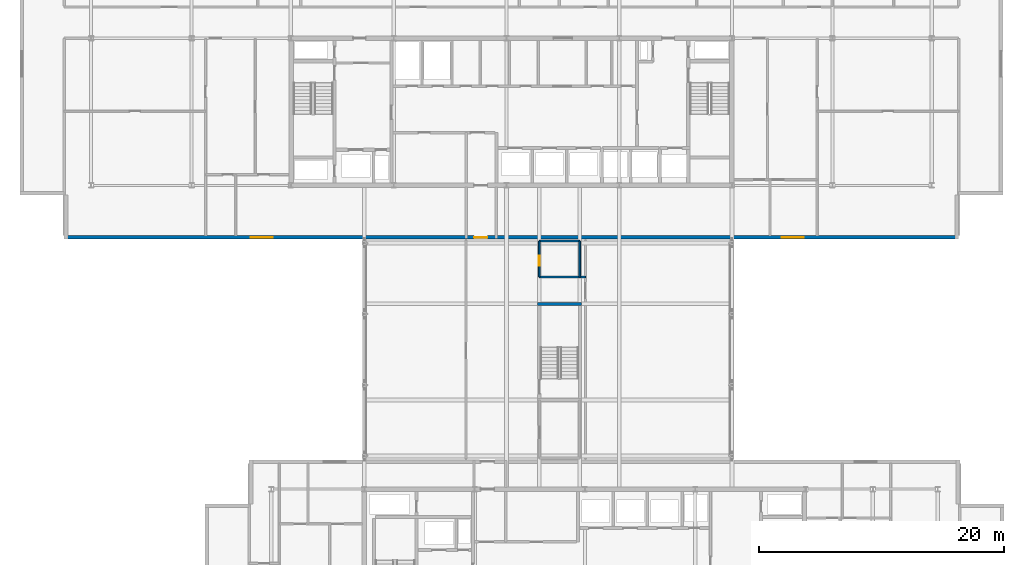
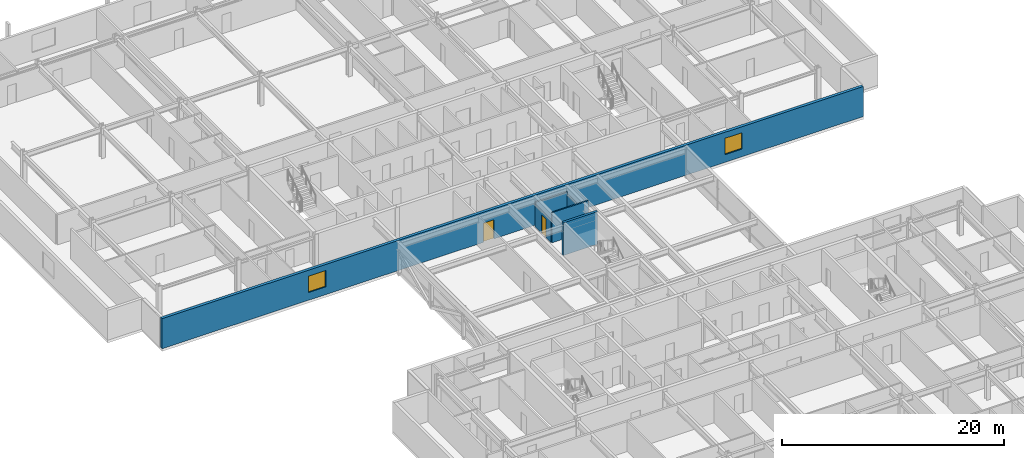
# One storey, part 22 of 36: 6 walls, 2 doors, 2 windows, 4 openings.
"""IFC4 building model written with IfcOpenShell, lengths in metres."""

import ifcopenshell
import ifcopenshell.guid

model = None  # the IFC model being written
_history = None  # IfcOwnerHistory: only IFC2X3 demands one
_inside = {}  # id of a spatial element -> (the spatial element, [elements in it])
_under = {}  # id of a project, library or spatial element -> (it, [spatial elements below it])
_declared = {}  # id of a project -> (the project, [libraries it declares])
_typed = {}  # id of a type object -> (the type object, [elements of that type])
_made_of = {}  # id of a material, layer set ... -> (it, [elements and type objects made of it])


def new_model(schema):
    """Start an empty IFC model of exactly this schema.

    Asked for "IFC4X3", IfcOpenShell would pick the latest addendum, in which some entities
    have other attributes; the version numbers below select the first issue.
    IFC2X3 requires an IfcOwnerHistory on every rooted entity: one is made here for all.
    """
    global model, _history
    if schema == "IFC4X3":
        model = ifcopenshell.file(schema_version=(4, 3, 0, 0))
    else:
        model = ifcopenshell.file(schema=schema)
    _inside.clear()
    _under.clear()
    _declared.clear()
    _typed.clear()
    _made_of.clear()
    _history = None
    if model.schema == "IFC2X3":
        org = make("IfcOrganization", Name="unknown")
        user = make(
            "IfcPersonAndOrganization",
            ThePerson=make("IfcPerson", FamilyName="unknown"),
            TheOrganization=org,
        )
        app = make(
            "IfcApplication",
            ApplicationDeveloper=org,
            Version="unknown",
            ApplicationFullName="unknown",
            ApplicationIdentifier="unknown",
        )
        _history = make(
            "IfcOwnerHistory",
            OwningUser=user,
            OwningApplication=app,
            ChangeAction="ADDED",
            CreationDate=0,
        )
    return model


def make(cls, **values):
    """One entity of the class cls with the attributes given. An attribute that is None is left unset."""
    return model.create_entity(
        cls, **{name: value for name, value in values.items() if value is not None}
    )


def rooted(cls, **values):
    """An entity with a GlobalId (a new one), such as an element, a storey or a relation."""
    return make(cls, GlobalId=ifcopenshell.guid.new(), OwnerHistory=_history, **values)


def si_unit(unit_type, name, prefix=None):
    """IfcSIUnit, for example si_unit("LENGTHUNIT", "METRE", prefix="MILLI")."""
    return make("IfcSIUnit", UnitType=unit_type, Prefix=prefix, Name=name)


def assignment(units):
    """IfcUnitAssignment: the units of a project."""
    return None if units is None else make("IfcUnitAssignment", Units=units)


def point(xyz):
    """IfcCartesianPoint."""
    return None if xyz is None else make("IfcCartesianPoint", Coordinates=xyz)


def direction(xyz):
    """IfcDirection."""
    return None if xyz is None else make("IfcDirection", DirectionRatios=xyz)


def frame(location, z_axis=None, x_axis=None):
    """IfcAxis2Placement3D, a coordinate frame: its origin and axes. An axis left out is left unset."""
    return make(
        "IfcAxis2Placement3D",
        Location=point(location),
        Axis=direction(z_axis),
        RefDirection=direction(x_axis),
    )


def frame_2d(location, x_axis=None):
    """IfcAxis2Placement2D, a coordinate frame in the plane: its origin and x axis."""
    return make(
        "IfcAxis2Placement2D", Location=point(location), RefDirection=direction(x_axis)
    )


def origin():
    """The frame at (0, 0, 0) with its axes left unset."""
    return frame((0.0, 0.0, 0.0))


def place(relative_to, where):
    """IfcLocalPlacement: puts the frame where relative to a parent placement (None: the world)."""
    return make(
        "IfcLocalPlacement", PlacementRelTo=relative_to, RelativePlacement=where
    )


def context(
    kind, dimensions, precision=None, world=None, true_north=None, identifier=None
):
    """IfcGeometricRepresentationContext, for example the 3D "Model" context."""
    return make(
        "IfcGeometricRepresentationContext",
        ContextIdentifier=identifier,
        ContextType=kind,
        CoordinateSpaceDimension=dimensions,
        Precision=precision,
        WorldCoordinateSystem=world,
        TrueNorth=true_north,
    )


def subcontext(parent, identifier, kind, view, scale=None):
    """IfcGeometricRepresentationSubContext, for example "Body" below "Model"."""
    return make(
        "IfcGeometricRepresentationSubContext",
        ContextIdentifier=identifier,
        ContextType=kind,
        ParentContext=parent,
        TargetScale=scale,
        TargetView=view,
    )


def project(units=None, contexts=None):
    """IfcProject with its units and contexts."""
    return rooted(
        "IfcProject",
        Name="project",
        RepresentationContexts=contexts,
        UnitsInContext=assignment(units),
    )


def spatial(cls, under=None, at=None, **own):
    """A site, building, storey or space (cls), placed at a placement, below another one or the project."""
    s = rooted(cls, ObjectPlacement=at, **own)
    if under is not None:
        _under.setdefault(under.id(), (under, []))[1].append(s)
    return s


def profile(cls, at=None, kind="AREA", **sizes):
    """A parametric profile (cls). Its sizes go by their IFC names, for example OverallWidth=200.0."""
    return make(cls, ProfileType=kind, Position=at, **sizes)


def rectangle(**sizes):
    """IfcRectangleProfileDef."""
    return profile("IfcRectangleProfileDef", **sizes)


def extrude(swept, where, along, depth):
    """IfcExtrudedAreaSolid: the profile swept, set in the frame where, extruded along a direction by depth."""
    return make(
        "IfcExtrudedAreaSolid",
        SweptArea=swept,
        Position=where,
        ExtrudedDirection=direction(along),
        Depth=depth,
    )


def shape(context_of_items, identifier, shape_type, items):
    """IfcShapeRepresentation: the items that make up one representation, for example the "Body"."""
    return make(
        "IfcShapeRepresentation",
        ContextOfItems=context_of_items,
        RepresentationIdentifier=identifier,
        RepresentationType=shape_type,
        Items=items,
    )


def material(Name=None, Category=None):
    """IfcMaterial."""
    return make("IfcMaterial", Name=Name, Category=Category)


def layer(
    of_material, thickness, ventilated=None, Name=None, Category=None, Priority=None
):
    """IfcMaterialLayer: one layer of a wall or slab, of a material (None: an air gap)."""
    return make(
        "IfcMaterialLayer",
        Material=of_material,
        LayerThickness=thickness,
        IsVentilated=ventilated,
        Name=Name,
        Category=Category,
        Priority=Priority,
    )


def layer_set(layers, Name=None):
    """IfcMaterialLayerSet."""
    return make("IfcMaterialLayerSet", MaterialLayers=layers, LayerSetName=Name)


def made_of(thing, what):
    """Note that an element or type object is made of a material, layer set ...; save() writes the relation."""
    if what is not None:
        _made_of.setdefault(what.id(), (what, []))[1].append(thing)
    return thing


def type_object(cls, material=None, **own):
    """A type object (cls), such as IfcWallType, which elements share."""
    return made_of(rooted(cls, **own), material)


def element(
    cls,
    number,
    at=None,
    inside=None,
    cuts=None,
    type_object=None,
    material=None,
    context=None,
    identifier="Body",
    shape_type=None,
    held_by="IfcProductDefinitionShape",
    body=None,
    shapes=None,
    **own,
):
    """One element of the class cls, such as IfcWall. Its Tag is "e" and its number.

    at: its placement. inside: the storey or other place that contains it. cuts: it is an
    opening in that element (IfcRelVoidsElement). A single representation is given by context,
    identifier, shape_type and body (its items); several are given by shapes. held_by: the class
    of the entity that holds the representations. save() writes the other relations.
    """
    e = rooted(cls, Tag="e%d" % number, ObjectPlacement=at, **own)
    if body is not None:
        shapes = [shape(context, identifier, shape_type, body)]
    if shapes is not None:
        e.Representation = make(held_by, Representations=shapes)
    if inside is not None:
        _inside.setdefault(inside.id(), (inside, []))[1].append(e)
    if cuts is not None:
        rooted(
            "IfcRelVoidsElement", RelatingBuildingElement=cuts, RelatedOpeningElement=e
        )
    if type_object is not None:
        _typed.setdefault(type_object.id(), (type_object, []))[1].append(e)
    return made_of(e, material)


def fill(opening, filler):
    """IfcRelFillsElement: the door or window that sits in an opening."""
    return rooted(
        "IfcRelFillsElement",
        RelatingOpeningElement=opening,
        RelatedBuildingElement=filler,
    )


def aggregate(whole, parts):
    """IfcRelAggregates: a whole, such as a stair, and the parts it consists of."""
    return rooted("IfcRelAggregates", RelatingObject=whole, RelatedObjects=parts)


def save(model, path):
    """Write the relations noted so far, then the file.

    IfcRelAggregates (storeys below a building ...), IfcRelContainedInSpatialStructure (elements
    in a storey), IfcRelDefinesByType, IfcRelAssociatesMaterial and IfcRelDeclares: one each for
    every whole, place, type object, material and project.
    """
    for whole, parts in _under.values():
        aggregate(whole, parts)
    for where, things in _inside.values():
        rooted(
            "IfcRelContainedInSpatialStructure",
            RelatedElements=things,
            RelatingStructure=where,
        )
    for kind, things in _typed.values():
        rooted("IfcRelDefinesByType", RelatedObjects=things, RelatingType=kind)
    for what, things in _made_of.values():
        rooted("IfcRelAssociatesMaterial", RelatedObjects=things, RelatingMaterial=what)
    for by, libraries in _declared.values():
        rooted("IfcRelDeclares", RelatingContext=by, RelatedDefinitions=libraries)
    model.write(path)


model = new_model("IFC4")

# Units and contexts
model_context = context("Model", 3, precision=1e-05, world=origin(), true_north=direction((0.0, 1.0)))
body_context = subcontext(model_context, "Body", "Model", "MODEL_VIEW")
ifc_project = project(units=[si_unit("LENGTHUNIT", "METRE"), si_unit("AREAUNIT", "SQUARE_METRE"), si_unit("VOLUMEUNIT", "CUBIC_METRE"), si_unit("PLANEANGLEUNIT", "RADIAN"), si_unit("MASSUNIT", "GRAM", prefix="KILO")], contexts=[model_context])

# Site, building, storey
site_placement = place(None, origin())
site = spatial("IfcSite", under=ifc_project, at=site_placement, CompositionType="ELEMENT")
building_placement = place(site_placement, origin())
building = spatial("IfcBuilding", under=site, at=building_placement, Name="Korimba Cascade Residences", CompositionType="ELEMENT")
storey_placement = place(building_placement, frame((0.0, 0.0, 139.300048828125)))
storey = spatial("IfcBuildingStorey", under=building, at=storey_placement, Name="L40", CompositionType="ELEMENT", Elevation=139.300048828125)

# Wall, openings, door, windows
ifc_material_1 = material(Name="Precast concrete C40/50", Category="concrete")
ifc_layer_1 = layer(ifc_material_1, 0.300048828125)
ifc_layer_set_1 = layer_set([ifc_layer_1], Name="Precast concrete C40/50")
wall_type_1 = type_object("IfcWallType", Name="EW-STONE-300", PredefinedType="STANDARD", material=ifc_layer_set_1)
wall_1_placement = place(storey_placement, frame((57.60009765625, 50.949951171875, 0.0), z_axis=(0.0, 0.0, 1.0), x_axis=(1.0, 0.0, 0.0)))
wall_1 = element("IfcWall", 1, at=wall_1_placement, inside=storey, type_object=wall_type_1, Name="L40 T1 Perimeter Stone Wall E00", PredefinedType="STANDARD", context=body_context, shape_type="SweptSolid", body=[
    extrude(rectangle(XDim=73.0, YDim=0.300048828125, at=frame_2d((36.5, 0.0))), origin(), (0.0, 0.0, 1.0), 3.31005859375),
])
opening_1_placement = place(wall_1_placement, frame((15.22509765625, 0.0, 0.85009765625)))
opening_1 = element("IfcOpeningElement", 2, at=opening_1_placement, cuts=wall_1, Name="Opening W-02", PredefinedType="OPENING", context=body_context, shape_type="SweptSolid", body=[
    extrude(rectangle(XDim=1.800048828125, YDim=1.800048828125, at=frame_2d((0.89990234375, 0.89990234375))), frame((0.0, 0.16015625, 0.0), z_axis=(0.0, -1.0, 0.0), x_axis=(1.0, 0.0, 0.0)), (0.0, 0.0, 1.0), 0.320068359375),
])
opening_2_placement = place(wall_1_placement, frame((58.574951171875, 0.0, 0.85009765625)))
opening_2 = element("IfcOpeningElement", 3, at=opening_2_placement, cuts=wall_1, Name="Opening W-02", PredefinedType="OPENING", context=body_context, shape_type="SweptSolid", body=[
    extrude(rectangle(XDim=1.800048828125, YDim=1.800048828125, at=frame_2d((0.89990234375, 0.89990234375))), frame((0.0, 0.16015625, 0.0), z_axis=(0.0, -1.0, 0.0), x_axis=(1.0, 0.0, 0.0)), (0.0, 0.0, 1.0), 0.320068359375),
])
opening_3_placement = place(wall_1_placement, frame((33.449951171875, 0.0, 0.0)))
opening_3 = element("IfcOpeningElement", 4, at=opening_3_placement, cuts=wall_1, Name="Opening D-BF1", PredefinedType="OPENING", context=body_context, shape_type="SweptSolid", body=[
    extrude(rectangle(XDim=1.10009765625, YDim=2.10009765625, at=frame_2d((0.550048828125, 1.050048828125))), frame((0.0, 0.16015625, 0.0), z_axis=(0.0, -1.0, 0.0), x_axis=(1.0, 0.0, 0.0)), (0.0, 0.0, 1.0), 0.320068359375),
])
ifc_material_2 = material(Name="Fire-Rated Steel Skybridge Link Door", Category="steel")
door_type_1 = type_object("IfcDoorType", Name="DR-BRG-FD120", OperationType="NOTDEFINED", PredefinedType="DOOR", material=ifc_material_2)
door_1_placement = place(opening_3_placement, origin())
door_1 = element("IfcDoor", 5, at=door_1_placement, inside=storey, type_object=door_type_1, Name="L40 Skybridge to Tower 1 Fire Door", OperationType="SINGLE_SWING_LEFT", OverallHeight=2.10009765625, OverallWidth=1.10009765625, PredefinedType="DOOR", context=body_context, shape_type="SweptSolid", body=[
    extrude(rectangle(XDim=1.10009765625, YDim=2.10009765625, at=frame_2d((0.550048828125, 1.050048828125))), frame((0.0, 0.02490234375, 0.0), z_axis=(0.0, -1.0, 0.0), x_axis=(1.0, 0.0, 0.0)), (0.0, 0.0, 1.0), 0.050048828125),
])
fill(opening_3, door_1)
ifc_material_3 = material(Name="Double-Glazed Aluminium Window", Category="aluminium")
window_type = type_object("IfcWindowType", Name="WIN-BED-1800", PartitioningType="SINGLE_PANEL", PredefinedType="WINDOW", material=ifc_material_3)
window_1_placement = place(opening_1_placement, origin())
window_1 = element("IfcWindow", 6, at=window_1_placement, inside=storey, type_object=window_type, Name="L40 T1 South Corner Bedroom Window 1", OverallHeight=1.800048828125, OverallWidth=1.800048828125, PartitioningType="SINGLE_PANEL", PredefinedType="WINDOW", context=body_context, shape_type="SweptSolid", body=[
    extrude(rectangle(XDim=1.800048828125, YDim=1.800048828125, at=frame_2d((0.89990234375, 0.89990234375))), frame((0.0, 0.030029296875, 0.0), z_axis=(0.0, -1.0, 0.0), x_axis=(1.0, 0.0, 0.0)), (0.0, 0.0, 1.0), 0.06005859375),
])
fill(opening_1, window_1)
window_2_placement = place(opening_2_placement, origin())
window_2 = element("IfcWindow", 7, at=window_2_placement, inside=storey, type_object=window_type, Name="L40 T1 South Corner Bedroom Window 2", OverallHeight=1.800048828125, OverallWidth=1.800048828125, PartitioningType="SINGLE_PANEL", PredefinedType="WINDOW", context=body_context, shape_type="SweptSolid", body=[
    extrude(rectangle(XDim=1.800048828125, YDim=1.800048828125, at=frame_2d((0.89990234375, 0.89990234375))), frame((0.0, 0.030029296875, 0.0), z_axis=(0.0, -1.0, 0.0), x_axis=(1.0, 0.0, 0.0)), (0.0, 0.0, 1.0), 0.06005859375),
])
fill(opening_2, window_2)

# Wall
ifc_material_4 = material(Name="Insulated Acoustic Stud Partition", Category="gypsum")
ifc_layer_2 = layer(ifc_material_4, 0.14990234375)
ifc_layer_set_2 = layer_set([ifc_layer_2], Name="Insulated Acoustic Stud Partition")
wall_type_2 = type_object("IfcWallType", Name="WAL-PART-150", PredefinedType="PARTITIONING", material=ifc_layer_set_2)
wall_2_placement = place(storey_placement, frame((96.375, 50.64990234375, 0.0), z_axis=(0.0, 0.0, 1.0), x_axis=(1.0, 0.0, 0.0)))
element("IfcWall", 8, at=wall_2_placement, inside=storey, type_object=wall_type_2, Name="L40 Partition Wall WAL-L40-BRG-WCN2", PredefinedType="PARTITIONING", context=body_context, shape_type="SweptSolid", body=[
    extrude(rectangle(XDim=3.31005859375, YDim=0.14990234375, at=frame_2d((1.655029296875, 0.0))), origin(), (0.0, 0.0, 1.0), 2.689697265625),
])

# Wall, opening, door
wall_3_placement = place(storey_placement, frame((96.375, 47.719970703125, 0.0), z_axis=(0.0, 0.0, 1.0), x_axis=(0.0, 1.0, 0.0)))
wall_3 = element("IfcWall", 9, at=wall_3_placement, inside=storey, type_object=wall_type_2, Name="L40 Partition Wall WAL-L40-BRG-WCW2", PredefinedType="PARTITIONING", context=body_context, shape_type="SweptSolid", body=[
    extrude(rectangle(XDim=2.929931640625, YDim=0.14990234375, at=frame_2d((1.46484375, 0.0))), origin(), (0.0, 0.0, 1.0), 2.38330078125),
])
opening_4_placement = place(wall_3_placement, frame((0.89990234375, 0.0, 0.0)))
opening_4 = element("IfcOpeningElement", 10, at=opening_4_placement, cuts=wall_3, Name="Opening D-BT1", PredefinedType="OPENING", context=body_context, shape_type="SweptSolid", body=[
    extrude(rectangle(XDim=0.840087890625, YDim=2.0400390625, at=frame_2d((0.419921875, 1.02001953125))), frame((0.0, 0.0849609375, 0.0), z_axis=(0.0, -1.0, 0.0), x_axis=(1.0, 0.0, 0.0)), (0.0, 0.0, 1.0), 0.169921875),
])
ifc_material_5 = material(Name="Moisture-Resistant Bathroom Timber Door", Category="wood")
door_type_2 = type_object("IfcDoorType", Name="DR-INT-850", OperationType="NOTDEFINED", PredefinedType="DOOR", material=ifc_material_5)
door_2_placement = place(opening_4_placement, origin())
door_2 = element("IfcDoor", 11, at=door_2_placement, inside=storey, type_object=door_type_2, Name="L40 Skybridge WC Door", OperationType="SINGLE_SWING_RIGHT", OverallHeight=2.0400390625, OverallWidth=0.840087890625, PredefinedType="DOOR", context=body_context, shape_type="SweptSolid", body=[
    extrude(rectangle(XDim=0.840087890625, YDim=2.0400390625, at=frame_2d((0.419921875, 1.02001953125))), frame((0.0, 0.02490234375, 0.0), z_axis=(0.0, -1.0, 0.0), x_axis=(1.0, 0.0, 0.0)), (0.0, 0.0, 1.0), 0.050048828125),
])
fill(opening_4, door_2)

# Walls
wall_4_placement = place(storey_placement, frame((96.375, 47.719970703125, 0.0), z_axis=(0.0, 0.0, 1.0), x_axis=(1.0, 0.0, 0.0)))
element("IfcWall", 12, at=wall_4_placement, inside=storey, type_object=wall_type_2, Name="L40 Partition Wall WAL-L40-BRG-WCSH", PredefinedType="PARTITIONING", context=body_context, shape_type="SweptSolid", body=[
    extrude(rectangle(XDim=3.77490234375, YDim=0.14990234375, at=frame_2d((1.887451171875, 0.0))), origin(), (0.0, 0.0, 1.0), 3.31005859375),
])
wall_5_placement = place(storey_placement, frame((99.68505859375, 47.719970703125, 0.0), z_axis=(0.0, 0.0, 1.0), x_axis=(0.0, 1.0, 0.0)))
element("IfcWall", 13, at=wall_5_placement, inside=storey, type_object=wall_type_2, Name="L40 Partition Wall WAL-L40-BRG-EE3", PredefinedType="PARTITIONING", context=body_context, shape_type="SweptSolid", body=[
    extrude(rectangle(XDim=2.929931640625, YDim=0.14990234375, at=frame_2d((1.46484375, 0.0))), origin(), (0.0, 0.0, 1.0), 2.38330078125),
])
ifc_material_6 = material(Name="Concrete C50/60", Category="concrete")
ifc_layer_3 = layer(ifc_material_6, 0.25)
ifc_layer_set_3 = layer_set([ifc_layer_3], Name="Concrete C50/60")
wall_type_3 = type_object("IfcWallType", Name="WAL-SHAFT-250", PredefinedType="SHEAR", material=ifc_layer_set_3)
wall_6_placement = place(storey_placement, frame((96.25, 45.52490234375, 0.0), z_axis=(0.0, 0.0, 1.0), x_axis=(1.0, 0.0, 0.0)))
element("IfcWall", 14, at=wall_6_placement, inside=storey, type_object=wall_type_3, Name="L40 Core Shear Wall CW-L40-STBR1N", PredefinedType="SHEAR", context=body_context, shape_type="SweptSolid", body=[
    extrude(rectangle(XDim=3.56005859375, YDim=0.25, at=frame_2d((1.780029296875, 0.0))), origin(), (0.0, 0.0, 1.0), 3.599853515625),
])

save(model, "model.ifc")
